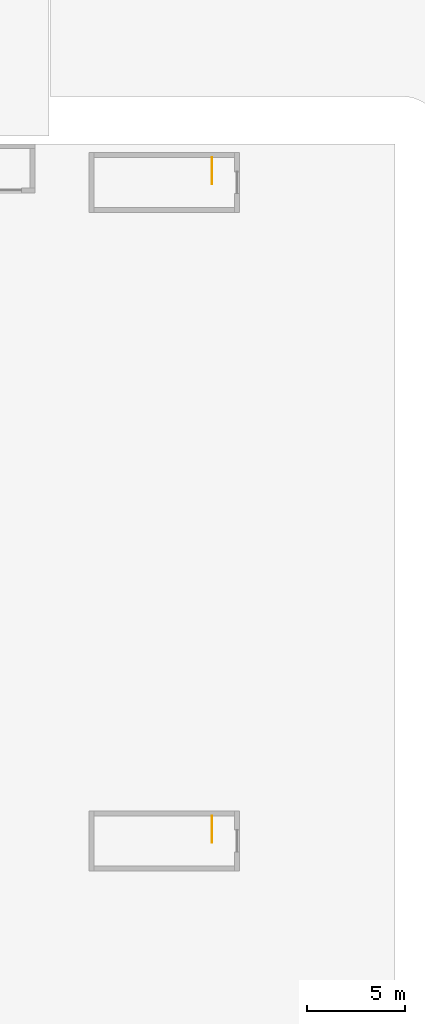
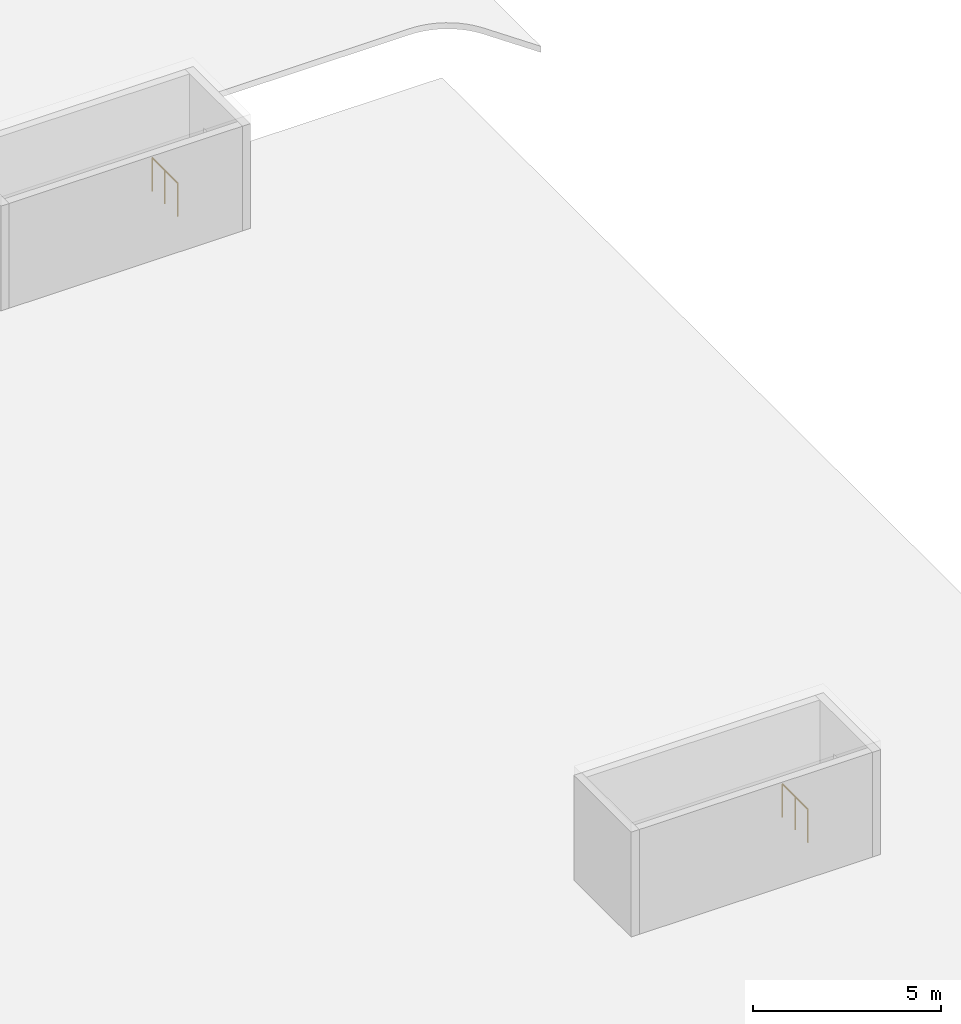
# One storey, part 54 of 57: 2 railings.
"""IFC4 building model written with IfcOpenShell, lengths in metres."""

from ifc_helpers import new_model, si_unit, direction, frame, origin, origin_2d, place, context, subcontext, project, spatial, circle, extrude, material, type_object, element, save


model = new_model("IFC4")

# Units and contexts
model_context = context("Model", 3, precision=1e-05, world=origin(), true_north=direction((0.0, 1.0)))
body_context = subcontext(model_context, "Body", "Model", "MODEL_VIEW")
ifc_project = project(units=[si_unit("LENGTHUNIT", "METRE"), si_unit("AREAUNIT", "SQUARE_METRE"), si_unit("VOLUMEUNIT", "CUBIC_METRE"), si_unit("PLANEANGLEUNIT", "RADIAN"), si_unit("MASSUNIT", "GRAM", prefix="KILO")], contexts=[model_context])

# Site, building, storey
site_placement = place(None, origin())
site = spatial("IfcSite", under=ifc_project, at=site_placement, CompositionType="ELEMENT")
building_placement = place(site_placement, origin())
building = spatial("IfcBuilding", under=site, at=building_placement, Name="Tamorin Gate", CompositionType="ELEMENT")
storey_placement = place(building_placement, origin())
storey = spatial("IfcBuildingStorey", under=building, at=storey_placement, Name="L00", CompositionType="ELEMENT", Elevation=0.0)

# Railings
ifc_material = material(Name="Steel, galvanised", Category="steel")
railing_type = type_object("IfcRailingType", Name="Steel guard 1100", PredefinedType="GUARDRAIL", material=ifc_material)
for number, where, name in (
    (1, (225.699951171875, 16.800048828125, 0.0), "L00 SB8 top well guard 1"),
    (2, (225.699951171875, 50.300048828125, 0.0), "L00 SB9 top well guard 1"),
):
    element("IfcRailing", number, at=place(storey_placement, frame(where)), inside=storey, type_object=railing_type, Name=name, PredefinedType="GUARDRAIL", context=body_context, shape_type="SweptSolid", body=[
        extrude(circle(Radius=0.02392578125, at=origin_2d()), frame((0.0, 0.0, 1.076171875), z_axis=(0.0, -1.0, 0.0), x_axis=(1.0, 0.0, 0.0)), (0.0, 0.0, 1.0), 1.35009765625),
        extrude(circle(Radius=0.02099609375, at=origin_2d()), origin(), (0.0, 0.0, 1.0), 1.052001953125),
        extrude(circle(Radius=0.02099609375, at=origin_2d()), frame((0.0, -0.675048828125, 0.0)), (0.0, 0.0, 1.0), 1.052001953125),
        extrude(circle(Radius=0.02099609375, at=origin_2d()), frame((0.0, -1.35009765625, 0.0)), (0.0, 0.0, 1.0), 1.052001953125),
    ])

save(model, "model.ifc")
